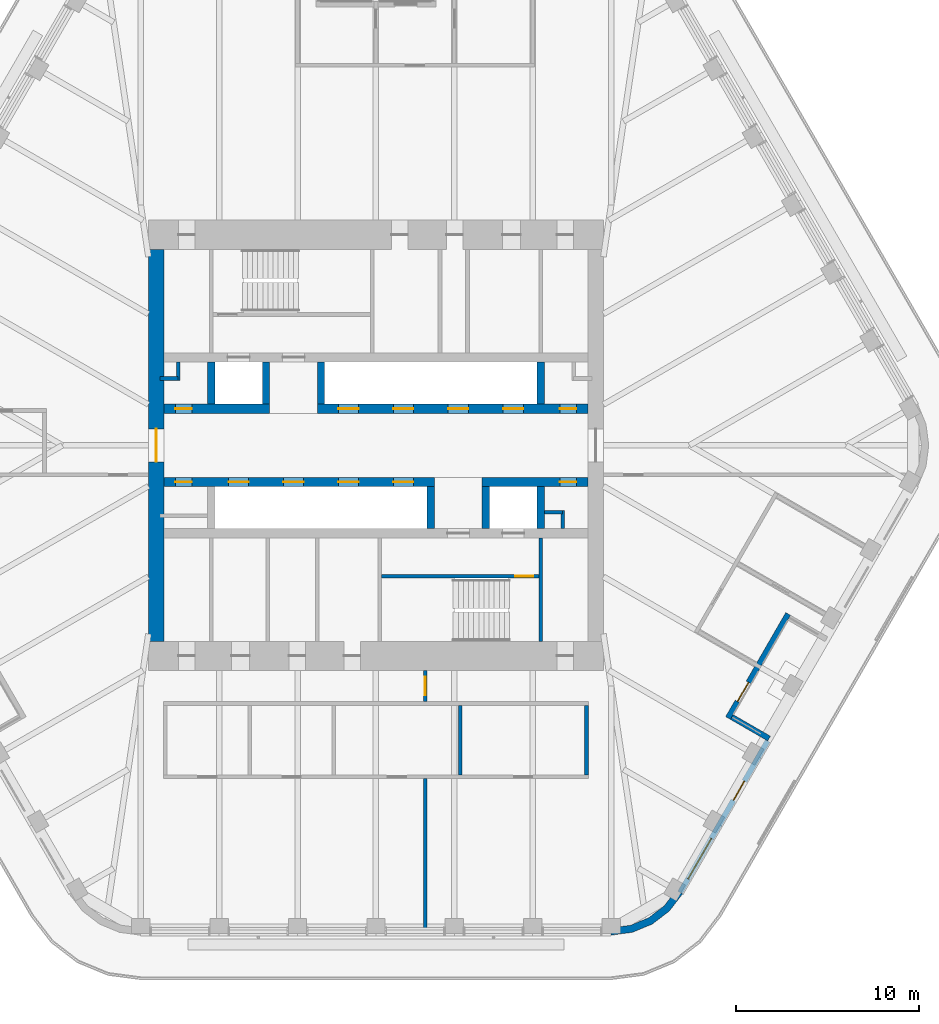
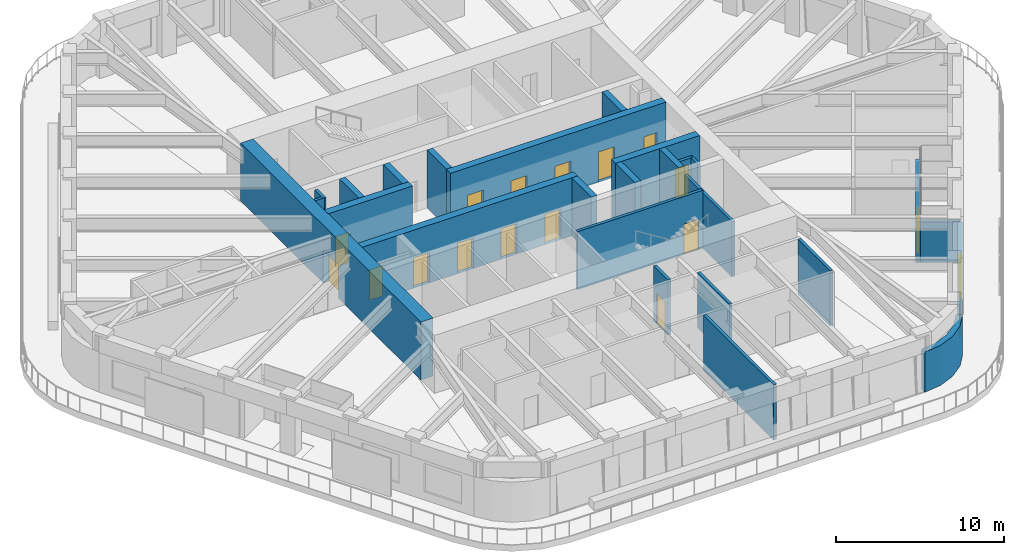
# One storey, part 14 of 19: 26 walls, 17 doors, 1 window, 18 openings.
"""IFC4 building model written with IfcOpenShell, lengths in metres."""

from ifc_helpers import new_model, si_unit, direction, frame, frame_2d, origin, place, context, subcontext, project, spatial, polyline, rectangle, outline, extrude, material, layer, layer_set, type_object, element, fill, save


model = new_model("IFC4")

# Units and contexts
model_context = context("Model", 3, precision=1e-05, world=origin(), true_north=direction((0.0, 1.0)))
body_context = subcontext(model_context, "Body", "Model", "MODEL_VIEW")
ifc_project = project(units=[si_unit("LENGTHUNIT", "METRE"), si_unit("AREAUNIT", "SQUARE_METRE"), si_unit("VOLUMEUNIT", "CUBIC_METRE"), si_unit("PLANEANGLEUNIT", "RADIAN"), si_unit("MASSUNIT", "GRAM", prefix="KILO")], contexts=[model_context])

# Site, building, storey
site_placement = place(None, origin())
site = spatial("IfcSite", under=ifc_project, at=site_placement, CompositionType="ELEMENT")
building_placement = place(site_placement, origin())
building = spatial("IfcBuilding", under=site, at=building_placement, Name="Tarfa Lantern Tower", CompositionType="ELEMENT")
storey_placement = place(building_placement, frame((0.0, 0.0, 336.699951171875)))
storey = spatial("IfcBuildingStorey", under=building, at=storey_placement, Name="L76", CompositionType="ELEMENT", Elevation=336.699951171875)

# Wall, openings, door, window
ifc_material_1 = material(Name="Limestone cladding on blockwork", Category="masonry")
ifc_layer_1 = layer(ifc_material_1, 0.300048828125)
ifc_layer_set_1 = layer_set([ifc_layer_1], Name="EW1 STONE-CLAD WALL 300")
wall_type_1 = type_object("IfcWallType", Name="EW1 STONE-CLAD WALL 300", PredefinedType="SOLIDWALL", material=ifc_layer_set_1)
wall_1_placement = place(storey_placement, frame((16.61328125, -24.425048828125, 0.0), z_axis=(0.0, 0.0, 1.0), x_axis=(0.499996453679, 0.866027451244, 0.0)))
wall_1 = element("IfcWall", 1, at=wall_1_placement, inside=storey, type_object=wall_type_1, Name="Stone wall SE", PredefinedType="SOLIDWALL", context=body_context, shape_type="SweptSolid", body=[
    extrude(rectangle(XDim=9.56396484375, YDim=0.300048828125, at=frame_2d((4.781982421875, 0.0))), origin(), (0.0, 0.0, 1.0), 2.900146484375),
])
opening_1_placement = place(wall_1_placement, frame((0.865966796875, 0.0, 0.60009765625)))
opening_1 = element("IfcOpeningElement", 2, at=opening_1_placement, cuts=wall_1, Name="Opening W17", PredefinedType="OPENING", context=body_context, shape_type="SweptSolid", body=[
    extrude(rectangle(XDim=2.550048828125, YDim=2.050048828125, at=frame_2d((1.27490234375, 1.02490234375))), frame((0.0, 0.159912109375, 0.0), z_axis=(0.0, -1.0, 0.0), x_axis=(1.0, 0.0, 0.0)), (0.0, 0.0, 1.0), 0.320068359375),
])
opening_2_placement = place(wall_1_placement, frame((5.822998046875, 0.0, 0.0)))
opening_2 = element("IfcOpeningElement", 3, at=opening_2_placement, cuts=wall_1, Name="Opening D37", PredefinedType="OPENING", context=body_context, shape_type="SweptSolid", body=[
    extrude(rectangle(XDim=1.199951171875, YDim=2.39990234375, at=frame_2d((0.60009765625, 1.199951171875))), frame((0.0, 0.159912109375, 0.0), z_axis=(0.0, -1.0, 0.0), x_axis=(1.0, 0.0, 0.0)), (0.0, 0.0, 1.0), 0.320068359375),
])
ifc_material_2 = material(Name="Aluminium framed glazed door", Category="aluminium")
door_type_1 = type_object("IfcDoorType", Name="BE3 BALCONY DOOR 1200x2400", OperationType="SINGLE_SWING_RIGHT", PredefinedType="DOOR", material=ifc_material_2)
door_1_placement = place(opening_2_placement, origin())
door_1 = element("IfcDoor", 4, at=door_1_placement, inside=storey, type_object=door_type_1, Name="Balcony door SE", OperationType="SINGLE_SWING_LEFT", OverallHeight=2.39990234375, OverallWidth=1.199951171875, PredefinedType="DOOR", context=body_context, shape_type="SweptSolid", body=[
    extrude(rectangle(XDim=1.199951171875, YDim=2.39990234375, at=frame_2d((0.60009765625, 1.199951171875))), frame((0.0, 0.02490234375, 0.0), z_axis=(0.0, -1.0, 0.0), x_axis=(1.0, 0.0, 0.0)), (0.0, 0.0, 1.0), 0.050048828125),
])
fill(opening_2, door_1)
ifc_material_3 = material(Name="Aluminium frame, double glazed", Category="aluminium")
window_type = type_object("IfcWindowType", Name="W17 FULL-HEIGHT GLAZING 2550x2050", PartitioningType="SINGLE_PANEL", PredefinedType="WINDOW", material=ifc_material_3)
window_placement = place(opening_1_placement, origin())
window = element("IfcWindow", 5, at=window_placement, inside=storey, type_object=window_type, Name="Window SE 1", OverallHeight=2.050048828125, OverallWidth=2.550048828125, PartitioningType="SINGLE_PANEL", PredefinedType="WINDOW", context=body_context, shape_type="SweptSolid", body=[
    extrude(rectangle(XDim=2.550048828125, YDim=2.050048828125, at=frame_2d((1.27490234375, 1.02490234375))), frame((0.0, 0.030029296875, 0.0), z_axis=(0.0, -1.0, 0.0), x_axis=(1.0, 0.0, 0.0)), (0.0, 0.0, 1.0), 0.06005859375),
])
fill(opening_1, window)

# Wall
wall_2_placement = place(storey_placement, frame((21.47021484375, -16.012451171875, 0.0), z_axis=(0.0, 0.0, 1.0), x_axis=(-0.866016039709, 0.500016218704, 0.0)))
element("IfcWall", 6, at=wall_2_placement, inside=storey, type_object=wall_type_1, Name="Terrace return SE 1", PredefinedType="SOLIDWALL", context=body_context, shape_type="SweptSolid", body=[
    extrude(rectangle(XDim=2.35009765625, YDim=0.300048828125, at=frame_2d((1.175048828125, 0.0))), origin(), (0.0, 0.0, 1.0), 2.900146484375),
])

# Wall, opening, door
wall_3_placement = place(storey_placement, frame((19.230224609375, -14.892333984375, 0.0), z_axis=(0.0, 0.0, 1.0), x_axis=(0.499999339774, 0.866025784966, 0.0)))
wall_3 = element("IfcWall", 7, at=wall_3_placement, inside=storey, type_object=wall_type_1, Name="Stone wall SES", PredefinedType="SOLIDWALL", context=body_context, shape_type="SweptSolid", body=[
    extrude(rectangle(XDim=6.56396484375, YDim=0.300048828125, at=frame_2d((3.281982421875, 0.0))), origin(), (0.0, 0.0, 1.0), 2.900146484375),
])
opening_3_placement = place(wall_3_placement, frame((1.041015625, 0.0, 0.0)))
opening_3 = element("IfcOpeningElement", 8, at=opening_3_placement, cuts=wall_3, Name="Opening D38", PredefinedType="OPENING", context=body_context, shape_type="SweptSolid", body=[
    extrude(rectangle(XDim=1.199951171875, YDim=2.39990234375, at=frame_2d((0.60009765625, 1.199951171875))), frame((0.0, 0.159912109375, 0.0), z_axis=(0.0, -1.0, 0.0), x_axis=(1.0, 0.0, 0.0)), (0.0, 0.0, 1.0), 0.320068359375),
])
door_2_placement = place(opening_3_placement, origin())
door_2 = element("IfcDoor", 9, at=door_2_placement, inside=storey, type_object=door_type_1, Name="Balcony door SES", OperationType="SINGLE_SWING_LEFT", OverallHeight=2.39990234375, OverallWidth=1.199951171875, PredefinedType="DOOR", context=body_context, shape_type="SweptSolid", body=[
    extrude(rectangle(XDim=1.199951171875, YDim=2.39990234375, at=frame_2d((0.60009765625, 1.199951171875))), frame((0.0, 0.02490234375, 0.0), z_axis=(0.0, -1.0, 0.0), x_axis=(1.0, 0.0, 0.0)), (0.0, 0.0, 1.0), 0.050048828125),
])
fill(opening_3, door_2)

# Walls
ifc_layer_2 = layer(ifc_material_1, 0.39990234375)
ifc_layer_set_2 = layer_set([ifc_layer_2], Name="EW2 CURVED STONE CORNER 400")
wall_type_2 = type_object("IfcWallType", Name="EW2 CURVED STONE CORNER 400", PredefinedType="SOLIDWALL", material=ifc_layer_set_2)
wall_4_placement = place(storey_placement, origin())
element("IfcWall", 10, at=wall_4_placement, inside=storey, type_object=wall_type_2, Name="Stone corner S-SE", PredefinedType="SOLIDWALL", context=body_context, shape_type="SweptSolid", body=[
    extrude(outline(polyline([(12.845947265625, -26.75), (14.0107421875, -26.5966796875), (15.095947265625, -26.147216796875), (16.028076171875, -25.431884765625), (16.7431640625, -24.5), (16.396728515625, -24.300048828125), (15.7451171875, -25.149169921875), (14.89599609375, -25.80078125), (13.9072265625, -26.210205078125), (12.845947265625, -26.35009765625), (12.845947265625, -26.75)])), origin(), (0.0, 0.0, 1.0), 2.900146484375),
])
ifc_material_4 = material(Name="Concrete blockwork", Category="masonry")
ifc_layer_3 = layer(ifc_material_4, 0.199951171875)
ifc_layer_set_3 = layer_set([ifc_layer_3], Name="IW1 BLOCKWORK PARTITION 200 EI 120")
wall_type_3 = type_object("IfcWallType", Name="IW1 BLOCKWORK PARTITION 200 EI 120", PredefinedType="PARTITIONING", material=ifc_layer_set_3)
wall_5_placement = place(storey_placement, frame((9.0, -5.050048828125, 0.0), z_axis=(0.0, 0.0, 1.0), x_axis=(0.0, -1.0, 0.0)))
element("IfcWall", 11, at=wall_5_placement, inside=storey, type_object=wall_type_3, Name="Core partition", PredefinedType="PARTITIONING", context=body_context, shape_type="SweptSolid", body=[
    extrude(rectangle(XDim=5.64990234375, YDim=0.199951171875, at=frame_2d((2.824951171875, 0.0))), origin(), (0.0, 0.0, 1.0), 4.0),
])
for number, where, z_axis, x_axis, name in (
    (12, (-11.800048828125, 3.64990234375, 0.0), (0.0, 0.0, 1.0), (1.0, 0.0, 0.0), "Core partition"),
    (13, (-10.800048828125, 3.550048828125, 0.0), (0.0, 0.0, 1.0), (0.0, 1.0, 0.0), "Core partition"),
    (14, (10.199951171875, -3.64990234375, 0.0), (0.0, 0.0, 1.0), (-1.0, 0.0, 0.0), "Core partition"),
    (15, (10.199951171875, -3.550048828125, 0.0), (0.0, 0.0, 1.0), (0.0, -1.0, 0.0), "Core partition"),
):
    element("IfcWall", number, at=place(storey_placement, frame(where, z_axis=z_axis, x_axis=x_axis)), inside=storey, type_object=wall_type_3, Name=name, PredefinedType="PARTITIONING", context=body_context, shape_type="SweptSolid", body=[
        extrude(rectangle(XDim=1.0, YDim=0.199951171875, at=frame_2d((0.5, 0.0))), origin(), (0.0, 0.0, 1.0), 4.0),
    ])
ifc_material_5 = material(Name="Gypsum board on steel studs", Category="steel")
ifc_layer_4 = layer(ifc_material_5, 0.2099609375)
ifc_layer_set_4 = layer_set([ifc_layer_4], Name="IW2 ACOUSTIC PARTITION 200")
wall_type_4 = type_object("IfcWallType", Name="IW2 ACOUSTIC PARTITION 200", PredefinedType="PARTITIONING", material=ifc_layer_set_4)
for number, where, z_axis, x_axis, name in (
    (16, (11.5, -14.199951171875, 0.0), (0.0, 0.0, 1.0), (0.0, -1.0, 0.0), "Partition"),
    (17, (4.60009765625, -14.199951171875, 0.0), (0.0, 0.0, 1.0), (0.0, -1.0, 0.0), "Partition"),
):
    element("IfcWall", number, at=place(storey_placement, frame(where, z_axis=z_axis, x_axis=x_axis)), inside=storey, type_object=wall_type_4, Name=name, PredefinedType="PARTITIONING", context=body_context, shape_type="SweptSolid", body=[
        extrude(rectangle(XDim=3.800048828125, YDim=0.199951171875, at=frame_2d((1.89990234375, 0.0))), origin(), (0.0, 0.0, 1.0), 4.0),
    ])

# Wall, opening, door
wall_6_placement = place(storey_placement, frame((2.699951171875, -12.300048828125, 0.0), z_axis=(0.0, 0.0, 1.0), x_axis=(0.0, -1.0, 0.0)))
wall_6 = element("IfcWall", 18, at=wall_6_placement, inside=storey, type_object=wall_type_4, Name="Partition", PredefinedType="PARTITIONING", context=body_context, shape_type="SweptSolid", body=[
    extrude(rectangle(XDim=1.699951171875, YDim=0.199951171875, at=frame_2d((0.85009765625, 0.0))), origin(), (0.0, 0.0, 1.0), 4.0),
])
opening_4_placement = place(wall_6_placement, frame((0.35009765625, 0.0, 0.0)))
opening_4 = element("IfcOpeningElement", 19, at=opening_4_placement, cuts=wall_6, Name="Opening D33", PredefinedType="OPENING", context=body_context, shape_type="SweptSolid", body=[
    extrude(rectangle(XDim=1.0, YDim=2.199951171875, at=frame_2d((0.5, 1.10009765625))), frame((0.0, 0.10986328125, 0.0), z_axis=(0.0, -1.0, 0.0), x_axis=(1.0, 0.0, 0.0)), (0.0, 0.0, 1.0), 0.219970703125),
])
ifc_material_6 = material(Name="Timber door", Category="wood")
door_type_2 = type_object("IfcDoorType", Name="DR1 ROOM DOOR 1000x2200", OperationType="SINGLE_SWING_LEFT", PredefinedType="DOOR", material=ifc_material_6)
door_3_placement = place(opening_4_placement, origin())
door_3 = element("IfcDoor", 20, at=door_3_placement, inside=storey, type_object=door_type_2, Name="Zone door", OperationType="SINGLE_SWING_LEFT", OverallHeight=2.199951171875, OverallWidth=1.0, PredefinedType="DOOR", context=body_context, shape_type="SweptSolid", body=[
    extrude(rectangle(XDim=1.0, YDim=2.199951171875, at=frame_2d((0.5, 1.10009765625))), frame((0.0, 0.02490234375, 0.0), z_axis=(0.0, -1.0, 0.0), x_axis=(1.0, 0.0, 0.0)), (0.0, 0.0, 1.0), 0.050048828125),
])
fill(opening_4, door_3)

# Wall
wall_7_placement = place(storey_placement, frame((2.699951171875, -18.199951171875, 0.0), z_axis=(0.0, 0.0, 1.0), x_axis=(0.0, -1.0, 0.0)))
element("IfcWall", 21, at=wall_7_placement, inside=storey, type_object=wall_type_4, Name="Partition", PredefinedType="PARTITIONING", context=body_context, shape_type="SweptSolid", body=[
    extrude(rectangle(XDim=8.35009765625, YDim=0.199951171875, at=frame_2d((4.175048828125, 0.0))), origin(), (0.0, 0.0, 1.0), 4.0),
])

# Wall, opening, door
ifc_material_7 = material(Name="Concrete C80/95", Category="concrete")
ifc_layer_5 = layer(ifc_material_7, 0.199951171875)
ifc_layer_set_5 = layer_set([ifc_layer_5], Name="SW12 CORE WALL 200")
wall_type_5 = type_object("IfcWallType", Name="SW12 CORE WALL 200", PredefinedType="SHEAR", material=ifc_layer_set_5)
wall_8_placement = place(storey_placement, frame((8.89990234375, -7.14990234375, 0.0), z_axis=(0.0, 0.0, 1.0), x_axis=(-1.0, 0.0, 0.0)))
wall_8 = element("IfcWall", 22, at=wall_8_placement, inside=storey, type_object=wall_type_5, Name="Core wall stair partition S", PredefinedType="SHEAR", context=body_context, shape_type="SweptSolid", body=[
    extrude(rectangle(XDim=8.599853515625, YDim=0.199951171875, at=frame_2d((4.2998046875, 0.0))), origin(), (0.0, 0.0, 1.0), 4.199951171875),
])
opening_5_placement = place(wall_8_placement, frame((0.300048828125, 0.0, 0.0)))
opening_5 = element("IfcOpeningElement", 23, at=opening_5_placement, cuts=wall_8, Name="Opening D20", PredefinedType="OPENING", context=body_context, shape_type="SweptSolid", body=[
    extrude(rectangle(XDim=1.0, YDim=2.199951171875, at=frame_2d((0.5, 1.10009765625))), frame((0.0, 0.10986328125, 0.0), z_axis=(0.0, -1.0, 0.0), x_axis=(1.0, 0.0, 0.0)), (0.0, 0.0, 1.0), 0.219970703125),
])
ifc_material_8 = material(Name="Steel fire door", Category="steel")
door_type_3 = type_object("IfcDoorType", Name="DF2 STAIR DOOR 1000x2200", OperationType="SINGLE_SWING_LEFT", PredefinedType="DOOR", material=ifc_material_8)
door_4_placement = place(opening_5_placement, origin())
door_4 = element("IfcDoor", 24, at=door_4_placement, inside=storey, type_object=door_type_3, Name="Stair door", OperationType="SINGLE_SWING_RIGHT", OverallHeight=2.199951171875, OverallWidth=1.0, PredefinedType="DOOR", context=body_context, shape_type="SweptSolid", body=[
    extrude(rectangle(XDim=1.0, YDim=2.199951171875, at=frame_2d((0.5, 1.10009765625))), frame((0.0, 0.02490234375, 0.0), z_axis=(0.0, -1.0, 0.0), x_axis=(1.0, 0.0, 0.0)), (0.0, 0.0, 1.0), 0.050048828125),
])
fill(opening_5, door_4)

ifc_layer_6 = layer(ifc_material_7, 0.85009765625)
ifc_layer_set_6 = layer_set([ifc_layer_6], Name="SW3 CORE WALL 850")
wall_type_6 = type_object("IfcWallType", Name="SW3 CORE WALL 850", PredefinedType="SHEAR", material=ifc_layer_set_6)
wall_9_placement = place(storey_placement, frame((-12.0, 10.699951171875, 0.0), z_axis=(0.0, 0.0, 1.0), x_axis=(0.0, -1.0, 0.0)))
wall_9 = element("IfcWall", 25, at=wall_9_placement, inside=storey, type_object=wall_type_6, Name="Core wall W", PredefinedType="SHEAR", context=body_context, shape_type="SweptSolid", body=[
    extrude(rectangle(XDim=21.39990234375, YDim=0.85009765625, at=frame_2d((10.699951171875, 0.0))), origin(), (0.0, 0.0, 1.0), 4.199951171875),
])
opening_6_placement = place(wall_9_placement, frame((9.800048828125, 0.0, 0.0)))
opening_6 = element("IfcOpeningElement", 26, at=opening_6_placement, cuts=wall_9, Name="Opening D08", PredefinedType="OPENING", context=body_context, shape_type="SweptSolid", body=[
    extrude(rectangle(XDim=1.800048828125, YDim=2.39990234375, at=frame_2d((0.89990234375, 1.199951171875))), frame((0.0, 0.43505859375, 0.0), z_axis=(0.0, -1.0, 0.0), x_axis=(1.0, 0.0, 0.0)), (0.0, 0.0, 1.0), 0.8701171875),
])
door_type_4 = type_object("IfcDoorType", Name="DL1 LOBBY DOOR 1800x2400", OperationType="DOUBLE_DOOR_SINGLE_SWING", PredefinedType="DOOR", material=ifc_material_8)
door_5_placement = place(opening_6_placement, frame((1.800048828125, 0.0, 0.0), z_axis=(0.0, 0.0, 1.0), x_axis=(-1.0, 0.0, 0.0)))
door_5 = element("IfcDoor", 27, at=door_5_placement, inside=storey, type_object=door_type_4, Name="Lift lobby door", OperationType="DOUBLE_DOOR_SINGLE_SWING", OverallHeight=2.39990234375, OverallWidth=1.800048828125, PredefinedType="DOOR", context=body_context, shape_type="SweptSolid", body=[
    extrude(rectangle(XDim=1.800048828125, YDim=2.39990234375, at=frame_2d((0.89990234375, 1.199951171875))), frame((0.0, 0.02490234375, 0.0), z_axis=(0.0, -1.0, 0.0), x_axis=(1.0, 0.0, 0.0)), (0.0, 0.0, 1.0), 0.050048828125),
])
fill(opening_6, door_5)

ifc_layer_7 = layer(ifc_material_7, 0.5)
ifc_layer_set_7 = layer_set([ifc_layer_7], Name="SW5 CORE WALL 500")
wall_type_7 = type_object("IfcWallType", Name="SW5 CORE WALL 500", PredefinedType="SHEAR", material=ifc_layer_set_7)
wall_10_placement = place(storey_placement, frame((-11.574951171875, 2.0, 0.0), z_axis=(0.0, 0.0, 1.0), x_axis=(1.0, 0.0, 0.0)))
wall_10 = element("IfcWall", 28, at=wall_10_placement, inside=storey, type_object=wall_type_7, Name="Core wall lobby west N", PredefinedType="SHEAR", context=body_context, shape_type="SweptSolid", body=[
    extrude(rectangle(XDim=5.77490234375, YDim=0.5, at=frame_2d((2.887451171875, 0.0))), origin(), (0.0, 0.0, 1.0), 4.199951171875),
])
opening_7_placement = place(wall_10_placement, frame((0.625, 0.0, 0.0)))
opening_7 = element("IfcOpeningElement", 29, at=opening_7_placement, cuts=wall_10, Name="Opening D11", PredefinedType="OPENING", context=body_context, shape_type="SweptSolid", body=[
    extrude(rectangle(XDim=0.89990234375, YDim=2.199951171875, at=frame_2d((0.449951171875, 1.10009765625))), frame((0.0, 0.260009765625, 0.0), z_axis=(0.0, -1.0, 0.0), x_axis=(1.0, 0.0, 0.0)), (0.0, 0.0, 1.0), 0.52001953125),
])
door_type_5 = type_object("IfcDoorType", Name="DF6 SERVICE ROOM DOOR 900x2200", OperationType="SINGLE_SWING_LEFT", PredefinedType="DOOR", material=ifc_material_8)
door_6_placement = place(opening_7_placement, origin())
door_6 = element("IfcDoor", 30, at=door_6_placement, inside=storey, type_object=door_type_5, Name="Service room door", OperationType="SINGLE_SWING_RIGHT", OverallHeight=2.199951171875, OverallWidth=0.89990234375, PredefinedType="DOOR", context=body_context, shape_type="SweptSolid", body=[
    extrude(rectangle(XDim=0.89990234375, YDim=2.199951171875, at=frame_2d((0.449951171875, 1.10009765625))), frame((0.0, 0.02490234375, 0.0), z_axis=(0.0, -1.0, 0.0), x_axis=(1.0, 0.0, 0.0)), (0.0, 0.0, 1.0), 0.050048828125),
])
fill(opening_7, door_6)

# Wall, openings, doors
wall_11_placement = place(storey_placement, frame((-3.199951171875, 2.0, 0.0), z_axis=(0.0, 0.0, 1.0), x_axis=(1.0, 0.0, 0.0)))
wall_11 = element("IfcWall", 31, at=wall_11_placement, inside=storey, type_object=wall_type_7, Name="Core wall lobby east N", PredefinedType="SHEAR", context=body_context, shape_type="SweptSolid", body=[
    extrude(rectangle(XDim=14.77490234375, YDim=0.5, at=frame_2d((7.387451171875, 0.0))), origin(), (0.0, 0.0, 1.0), 4.199951171875),
])
opening_8_placement = place(wall_11_placement, frame((13.25, 0.0, 0.0)))
opening_8 = element("IfcOpeningElement", 32, at=opening_8_placement, cuts=wall_11, Name="Opening D09", PredefinedType="OPENING", context=body_context, shape_type="SweptSolid", body=[
    extrude(rectangle(XDim=0.89990234375, YDim=2.199951171875, at=frame_2d((0.449951171875, 1.10009765625))), frame((0.0, 0.260009765625, 0.0), z_axis=(0.0, -1.0, 0.0), x_axis=(1.0, 0.0, 0.0)), (0.0, 0.0, 1.0), 0.52001953125),
])
opening_9_placement = place(wall_11_placement, frame((1.14990234375, 0.0, 0.0)))
opening_9 = element("IfcOpeningElement", 33, at=opening_9_placement, cuts=wall_11, Name="Opening LD03", PredefinedType="OPENING", context=body_context, shape_type="SweptSolid", body=[
    extrude(rectangle(XDim=1.10009765625, YDim=2.199951171875, at=frame_2d((0.550048828125, 1.10009765625))), frame((0.0, 0.260009765625, 0.0), z_axis=(0.0, -1.0, 0.0), x_axis=(1.0, 0.0, 0.0)), (0.0, 0.0, 1.0), 0.52001953125),
])
opening_10_placement = place(wall_11_placement, frame((4.14990234375, 0.0, 0.0)))
opening_10 = element("IfcOpeningElement", 34, at=opening_10_placement, cuts=wall_11, Name="Opening LD04", PredefinedType="OPENING", context=body_context, shape_type="SweptSolid", body=[
    extrude(rectangle(XDim=1.10009765625, YDim=2.199951171875, at=frame_2d((0.550048828125, 1.10009765625))), frame((0.0, 0.260009765625, 0.0), z_axis=(0.0, -1.0, 0.0), x_axis=(1.0, 0.0, 0.0)), (0.0, 0.0, 1.0), 0.52001953125),
])
opening_11_placement = place(wall_11_placement, frame((7.14990234375, 0.0, 0.0)))
opening_11 = element("IfcOpeningElement", 35, at=opening_11_placement, cuts=wall_11, Name="Opening LD05", PredefinedType="OPENING", context=body_context, shape_type="SweptSolid", body=[
    extrude(rectangle(XDim=1.10009765625, YDim=2.199951171875, at=frame_2d((0.550048828125, 1.10009765625))), frame((0.0, 0.260009765625, 0.0), z_axis=(0.0, -1.0, 0.0), x_axis=(1.0, 0.0, 0.0)), (0.0, 0.0, 1.0), 0.52001953125),
])
opening_12_placement = place(wall_11_placement, frame((10.14990234375, 0.0, 0.0)))
opening_12 = element("IfcOpeningElement", 36, at=opening_12_placement, cuts=wall_11, Name="Opening LD06", PredefinedType="OPENING", context=body_context, shape_type="SweptSolid", body=[
    extrude(rectangle(XDim=1.10009765625, YDim=2.199951171875, at=frame_2d((0.550048828125, 1.10009765625))), frame((0.0, 0.260009765625, 0.0), z_axis=(0.0, -1.0, 0.0), x_axis=(1.0, 0.0, 0.0)), (0.0, 0.0, 1.0), 0.52001953125),
])
door_7_placement = place(opening_8_placement, origin())
door_7 = element("IfcDoor", 37, at=door_7_placement, inside=storey, type_object=door_type_5, Name="Service room door", OperationType="SINGLE_SWING_LEFT", OverallHeight=2.199951171875, OverallWidth=0.89990234375, PredefinedType="DOOR", context=body_context, shape_type="SweptSolid", body=[
    extrude(rectangle(XDim=0.89990234375, YDim=2.199951171875, at=frame_2d((0.449951171875, 1.10009765625))), frame((0.0, 0.02490234375, 0.0), z_axis=(0.0, -1.0, 0.0), x_axis=(1.0, 0.0, 0.0)), (0.0, 0.0, 1.0), 0.050048828125),
])
fill(opening_8, door_7)
ifc_material_9 = material(Name="Stainless steel lift door", Category="steel")
door_type_6 = type_object("IfcDoorType", Name="LD2 LIFT LANDING DOOR 1100x2200", OperationType="SLIDING_TO_LEFT", PredefinedType="DOOR", material=ifc_material_9)
door_8_placement = place(opening_9_placement, frame((1.10009765625, 0.0, 0.0), z_axis=(0.0, 0.0, 1.0), x_axis=(-1.0, 0.0, 0.0)))
door_8 = element("IfcDoor", 38, at=door_8_placement, inside=storey, type_object=door_type_6, Name="Landing door PD1", OperationType="SLIDING_TO_LEFT", OverallHeight=2.199951171875, OverallWidth=1.10009765625, PredefinedType="DOOR", context=body_context, shape_type="SweptSolid", body=[
    extrude(rectangle(XDim=1.10009765625, YDim=2.199951171875, at=frame_2d((0.550048828125, 1.10009765625))), frame((0.0, 0.02490234375, 0.0), z_axis=(0.0, -1.0, 0.0), x_axis=(1.0, 0.0, 0.0)), (0.0, 0.0, 1.0), 0.050048828125),
])
fill(opening_9, door_8)
door_9_placement = place(opening_10_placement, frame((1.10009765625, 0.0, 0.0), z_axis=(0.0, 0.0, 1.0), x_axis=(-1.0, 0.0, 0.0)))
door_9 = element("IfcDoor", 39, at=door_9_placement, inside=storey, type_object=door_type_6, Name="Landing door PD2", OperationType="SLIDING_TO_LEFT", OverallHeight=2.199951171875, OverallWidth=1.10009765625, PredefinedType="DOOR", context=body_context, shape_type="SweptSolid", body=[
    extrude(rectangle(XDim=1.10009765625, YDim=2.199951171875, at=frame_2d((0.550048828125, 1.10009765625))), frame((0.0, 0.02490234375, 0.0), z_axis=(0.0, -1.0, 0.0), x_axis=(1.0, 0.0, 0.0)), (0.0, 0.0, 1.0), 0.050048828125),
])
fill(opening_10, door_9)
door_10_placement = place(opening_11_placement, frame((1.10009765625, 0.0, 0.0), z_axis=(0.0, 0.0, 1.0), x_axis=(-1.0, 0.0, 0.0)))
door_10 = element("IfcDoor", 40, at=door_10_placement, inside=storey, type_object=door_type_6, Name="Landing door PD3", OperationType="SLIDING_TO_LEFT", OverallHeight=2.199951171875, OverallWidth=1.10009765625, PredefinedType="DOOR", context=body_context, shape_type="SweptSolid", body=[
    extrude(rectangle(XDim=1.10009765625, YDim=2.199951171875, at=frame_2d((0.550048828125, 1.10009765625))), frame((0.0, 0.02490234375, 0.0), z_axis=(0.0, -1.0, 0.0), x_axis=(1.0, 0.0, 0.0)), (0.0, 0.0, 1.0), 0.050048828125),
])
fill(opening_11, door_10)
door_11_placement = place(opening_12_placement, frame((1.10009765625, 0.0, 0.0), z_axis=(0.0, 0.0, 1.0), x_axis=(-1.0, 0.0, 0.0)))
door_11 = element("IfcDoor", 41, at=door_11_placement, inside=storey, type_object=door_type_6, Name="Landing door PD4", OperationType="SLIDING_TO_LEFT", OverallHeight=2.199951171875, OverallWidth=1.10009765625, PredefinedType="DOOR", context=body_context, shape_type="SweptSolid", body=[
    extrude(rectangle(XDim=1.10009765625, YDim=2.199951171875, at=frame_2d((0.550048828125, 1.10009765625))), frame((0.0, 0.02490234375, 0.0), z_axis=(0.0, -1.0, 0.0), x_axis=(1.0, 0.0, 0.0)), (0.0, 0.0, 1.0), 0.050048828125),
])
fill(opening_12, door_11)

# Wall, opening, door
wall_12_placement = place(storey_placement, frame((11.574951171875, -2.0, 0.0), z_axis=(0.0, 0.0, 1.0), x_axis=(-1.0, 0.0, 0.0)))
wall_12 = element("IfcWall", 42, at=wall_12_placement, inside=storey, type_object=wall_type_7, Name="Core wall lobby west S", PredefinedType="SHEAR", context=body_context, shape_type="SweptSolid", body=[
    extrude(rectangle(XDim=5.77490234375, YDim=0.5, at=frame_2d((2.887451171875, 0.0))), origin(), (0.0, 0.0, 1.0), 4.199951171875),
])
opening_13_placement = place(wall_12_placement, frame((0.625, 0.0, 0.0)))
opening_13 = element("IfcOpeningElement", 43, at=opening_13_placement, cuts=wall_12, Name="Opening D12", PredefinedType="OPENING", context=body_context, shape_type="SweptSolid", body=[
    extrude(rectangle(XDim=0.89990234375, YDim=2.199951171875, at=frame_2d((0.449951171875, 1.10009765625))), frame((0.0, 0.260009765625, 0.0), z_axis=(0.0, -1.0, 0.0), x_axis=(1.0, 0.0, 0.0)), (0.0, 0.0, 1.0), 0.52001953125),
])
door_12_placement = place(opening_13_placement, origin())
door_12 = element("IfcDoor", 44, at=door_12_placement, inside=storey, type_object=door_type_5, Name="Service room door", OperationType="SINGLE_SWING_RIGHT", OverallHeight=2.199951171875, OverallWidth=0.89990234375, PredefinedType="DOOR", context=body_context, shape_type="SweptSolid", body=[
    extrude(rectangle(XDim=0.89990234375, YDim=2.199951171875, at=frame_2d((0.449951171875, 1.10009765625))), frame((0.0, 0.02490234375, 0.0), z_axis=(0.0, -1.0, 0.0), x_axis=(1.0, 0.0, 0.0)), (0.0, 0.0, 1.0), 0.050048828125),
])
fill(opening_13, door_12)

# Wall, openings, doors
wall_13_placement = place(storey_placement, frame((3.199951171875, -2.0, 0.0), z_axis=(0.0, 0.0, 1.0), x_axis=(-1.0, 0.0, 0.0)))
wall_13 = element("IfcWall", 45, at=wall_13_placement, inside=storey, type_object=wall_type_7, Name="Core wall lobby east S", PredefinedType="SHEAR", context=body_context, shape_type="SweptSolid", body=[
    extrude(rectangle(XDim=14.77490234375, YDim=0.5, at=frame_2d((7.387451171875, 0.0))), origin(), (0.0, 0.0, 1.0), 4.199951171875),
])
opening_14_placement = place(wall_13_placement, frame((13.25, 0.0, 0.0)))
opening_14 = element("IfcOpeningElement", 46, at=opening_14_placement, cuts=wall_13, Name="Opening D10", PredefinedType="OPENING", context=body_context, shape_type="SweptSolid", body=[
    extrude(rectangle(XDim=0.89990234375, YDim=2.199951171875, at=frame_2d((0.449951171875, 1.10009765625))), frame((0.0, 0.260009765625, 0.0), z_axis=(0.0, -1.0, 0.0), x_axis=(1.0, 0.0, 0.0)), (0.0, 0.0, 1.0), 0.52001953125),
])
opening_15_placement = place(wall_13_placement, frame((1.14990234375, 0.0, 0.0)))
opening_15 = element("IfcOpeningElement", 47, at=opening_15_placement, cuts=wall_13, Name="Opening LD07", PredefinedType="OPENING", context=body_context, shape_type="SweptSolid", body=[
    extrude(rectangle(XDim=1.10009765625, YDim=2.199951171875, at=frame_2d((0.550048828125, 1.10009765625))), frame((0.0, 0.260009765625, 0.0), z_axis=(0.0, -1.0, 0.0), x_axis=(1.0, 0.0, 0.0)), (0.0, 0.0, 1.0), 0.52001953125),
])
opening_16_placement = place(wall_13_placement, frame((4.14990234375, 0.0, 0.0)))
opening_16 = element("IfcOpeningElement", 48, at=opening_16_placement, cuts=wall_13, Name="Opening LD08", PredefinedType="OPENING", context=body_context, shape_type="SweptSolid", body=[
    extrude(rectangle(XDim=1.10009765625, YDim=2.199951171875, at=frame_2d((0.550048828125, 1.10009765625))), frame((0.0, 0.260009765625, 0.0), z_axis=(0.0, -1.0, 0.0), x_axis=(1.0, 0.0, 0.0)), (0.0, 0.0, 1.0), 0.52001953125),
])
opening_17_placement = place(wall_13_placement, frame((7.14990234375, 0.0, 0.0)))
opening_17 = element("IfcOpeningElement", 49, at=opening_17_placement, cuts=wall_13, Name="Opening LD09", PredefinedType="OPENING", context=body_context, shape_type="SweptSolid", body=[
    extrude(rectangle(XDim=1.10009765625, YDim=2.199951171875, at=frame_2d((0.550048828125, 1.10009765625))), frame((0.0, 0.260009765625, 0.0), z_axis=(0.0, -1.0, 0.0), x_axis=(1.0, 0.0, 0.0)), (0.0, 0.0, 1.0), 0.52001953125),
])
opening_18_placement = place(wall_13_placement, frame((10.14990234375, 0.0, 0.0)))
opening_18 = element("IfcOpeningElement", 50, at=opening_18_placement, cuts=wall_13, Name="Opening LD10", PredefinedType="OPENING", context=body_context, shape_type="SweptSolid", body=[
    extrude(rectangle(XDim=1.10009765625, YDim=2.199951171875, at=frame_2d((0.550048828125, 1.10009765625))), frame((0.0, 0.260009765625, 0.0), z_axis=(0.0, -1.0, 0.0), x_axis=(1.0, 0.0, 0.0)), (0.0, 0.0, 1.0), 0.52001953125),
])
door_13_placement = place(opening_14_placement, origin())
door_13 = element("IfcDoor", 51, at=door_13_placement, inside=storey, type_object=door_type_5, Name="Service room door", OperationType="SINGLE_SWING_LEFT", OverallHeight=2.199951171875, OverallWidth=0.89990234375, PredefinedType="DOOR", context=body_context, shape_type="SweptSolid", body=[
    extrude(rectangle(XDim=0.89990234375, YDim=2.199951171875, at=frame_2d((0.449951171875, 1.10009765625))), frame((0.0, 0.02490234375, 0.0), z_axis=(0.0, -1.0, 0.0), x_axis=(1.0, 0.0, 0.0)), (0.0, 0.0, 1.0), 0.050048828125),
])
fill(opening_14, door_13)
door_14_placement = place(opening_15_placement, frame((1.10009765625, 0.0, 0.0), z_axis=(0.0, 0.0, 1.0), x_axis=(-1.0, 0.0, 0.0)))
door_14 = element("IfcDoor", 52, at=door_14_placement, inside=storey, type_object=door_type_6, Name="Landing door PD5", OperationType="SLIDING_TO_LEFT", OverallHeight=2.199951171875, OverallWidth=1.10009765625, PredefinedType="DOOR", context=body_context, shape_type="SweptSolid", body=[
    extrude(rectangle(XDim=1.10009765625, YDim=2.199951171875, at=frame_2d((0.550048828125, 1.10009765625))), frame((0.0, 0.02490234375, 0.0), z_axis=(0.0, -1.0, 0.0), x_axis=(1.0, 0.0, 0.0)), (0.0, 0.0, 1.0), 0.050048828125),
])
fill(opening_15, door_14)
door_15_placement = place(opening_16_placement, frame((1.10009765625, 0.0, 0.0), z_axis=(0.0, 0.0, 1.0), x_axis=(-1.0, 0.0, 0.0)))
door_15 = element("IfcDoor", 53, at=door_15_placement, inside=storey, type_object=door_type_6, Name="Landing door PD6", OperationType="SLIDING_TO_LEFT", OverallHeight=2.199951171875, OverallWidth=1.10009765625, PredefinedType="DOOR", context=body_context, shape_type="SweptSolid", body=[
    extrude(rectangle(XDim=1.10009765625, YDim=2.199951171875, at=frame_2d((0.550048828125, 1.10009765625))), frame((0.0, 0.02490234375, 0.0), z_axis=(0.0, -1.0, 0.0), x_axis=(1.0, 0.0, 0.0)), (0.0, 0.0, 1.0), 0.050048828125),
])
fill(opening_16, door_15)
door_16_placement = place(opening_17_placement, frame((1.10009765625, 0.0, 0.0), z_axis=(0.0, 0.0, 1.0), x_axis=(-1.0, 0.0, 0.0)))
door_16 = element("IfcDoor", 54, at=door_16_placement, inside=storey, type_object=door_type_6, Name="Landing door PD7", OperationType="SLIDING_TO_LEFT", OverallHeight=2.199951171875, OverallWidth=1.10009765625, PredefinedType="DOOR", context=body_context, shape_type="SweptSolid", body=[
    extrude(rectangle(XDim=1.10009765625, YDim=2.199951171875, at=frame_2d((0.550048828125, 1.10009765625))), frame((0.0, 0.02490234375, 0.0), z_axis=(0.0, -1.0, 0.0), x_axis=(1.0, 0.0, 0.0)), (0.0, 0.0, 1.0), 0.050048828125),
])
fill(opening_17, door_16)
door_17_placement = place(opening_18_placement, frame((1.10009765625, 0.0, 0.0), z_axis=(0.0, 0.0, 1.0), x_axis=(-1.0, 0.0, 0.0)))
door_17 = element("IfcDoor", 55, at=door_17_placement, inside=storey, type_object=door_type_6, Name="Landing door PD8", OperationType="SLIDING_TO_LEFT", OverallHeight=2.199951171875, OverallWidth=1.10009765625, PredefinedType="DOOR", context=body_context, shape_type="SweptSolid", body=[
    extrude(rectangle(XDim=1.10009765625, YDim=2.199951171875, at=frame_2d((0.550048828125, 1.10009765625))), frame((0.0, 0.02490234375, 0.0), z_axis=(0.0, -1.0, 0.0), x_axis=(1.0, 0.0, 0.0)), (0.0, 0.0, 1.0), 0.050048828125),
])
fill(opening_18, door_17)

# Walls
ifc_layer_8 = layer(ifc_material_7, 0.39990234375)
ifc_layer_set_8 = layer_set([ifc_layer_8], Name="SW6 CORE WALL 400")
wall_type_8 = type_object("IfcWallType", Name="SW6 CORE WALL 400", PredefinedType="SHEAR", material=ifc_layer_set_8)
for number, where, z_axis, x_axis, name in (
    (56, (-9.0, 2.25, 0.0), (0.0, 0.0, 1.0), (0.0, 1.0, 0.0), "Core wall divider N"),
    (57, (-6.0, 2.25, 0.0), (0.0, 0.0, 1.0), (0.0, 1.0, 0.0), "Core wall divider N"),
    (58, (-3.0, 2.25, 0.0), (0.0, 0.0, 1.0), (0.0, 1.0, 0.0), "Core wall divider N"),
    (59, (9.0, 2.25, 0.0), (0.0, 0.0, 1.0), (0.0, 1.0, 0.0), "Core wall divider N"),
    (60, (9.0, -2.25, 0.0), (0.0, 0.0, 1.0), (0.0, -1.0, 0.0), "Core wall divider S"),
    (61, (6.0, -2.25, 0.0), (0.0, 0.0, 1.0), (0.0, -1.0, 0.0), "Core wall divider S"),
    (62, (3.0, -2.25, 0.0), (0.0, 0.0, 1.0), (0.0, -1.0, 0.0), "Core wall divider S"),
):
    element("IfcWall", number, at=place(storey_placement, frame(where, z_axis=z_axis, x_axis=x_axis)), inside=storey, type_object=wall_type_8, Name=name, PredefinedType="SHEAR", context=body_context, shape_type="SweptSolid", body=[
        extrude(rectangle(XDim=2.300048828125, YDim=0.39990234375, at=frame_2d((1.14990234375, 0.0))), origin(), (0.0, 0.0, 1.0), 4.199951171875),
    ])

save(model, "model.ifc")
